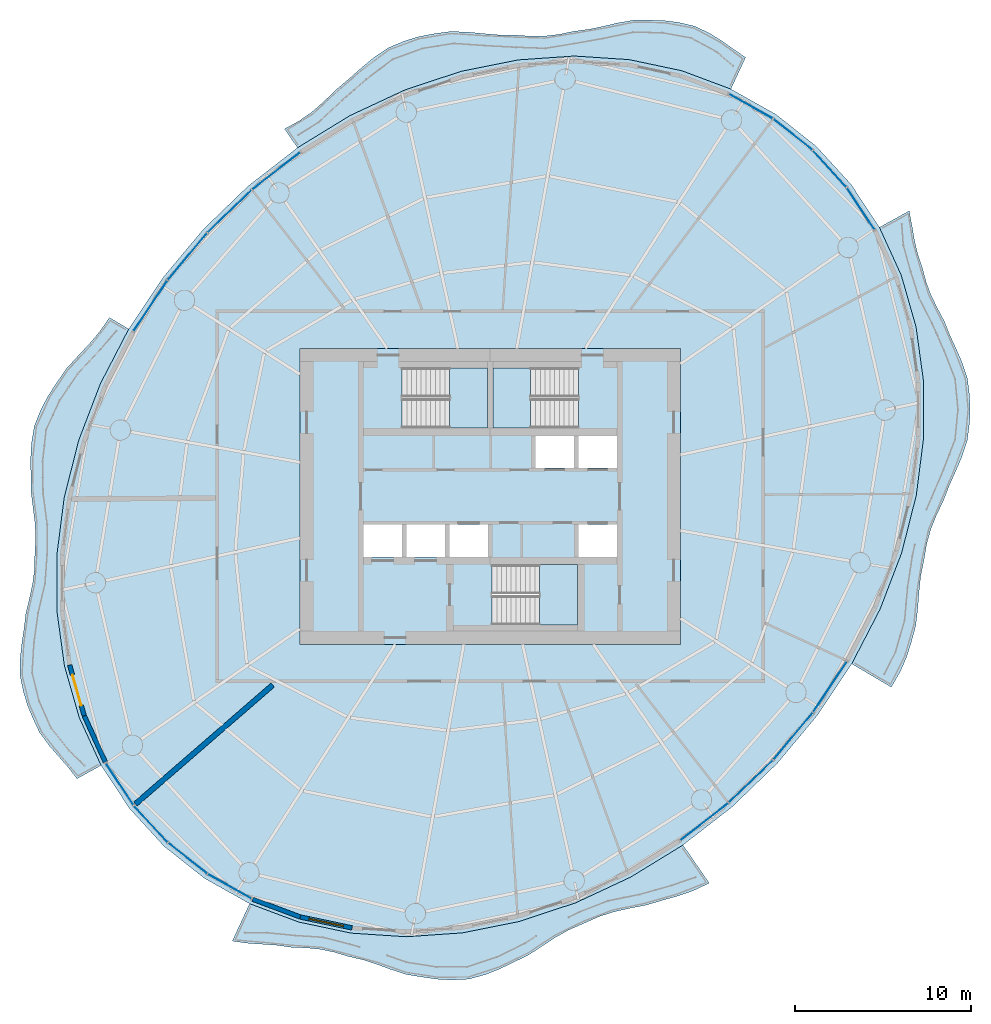
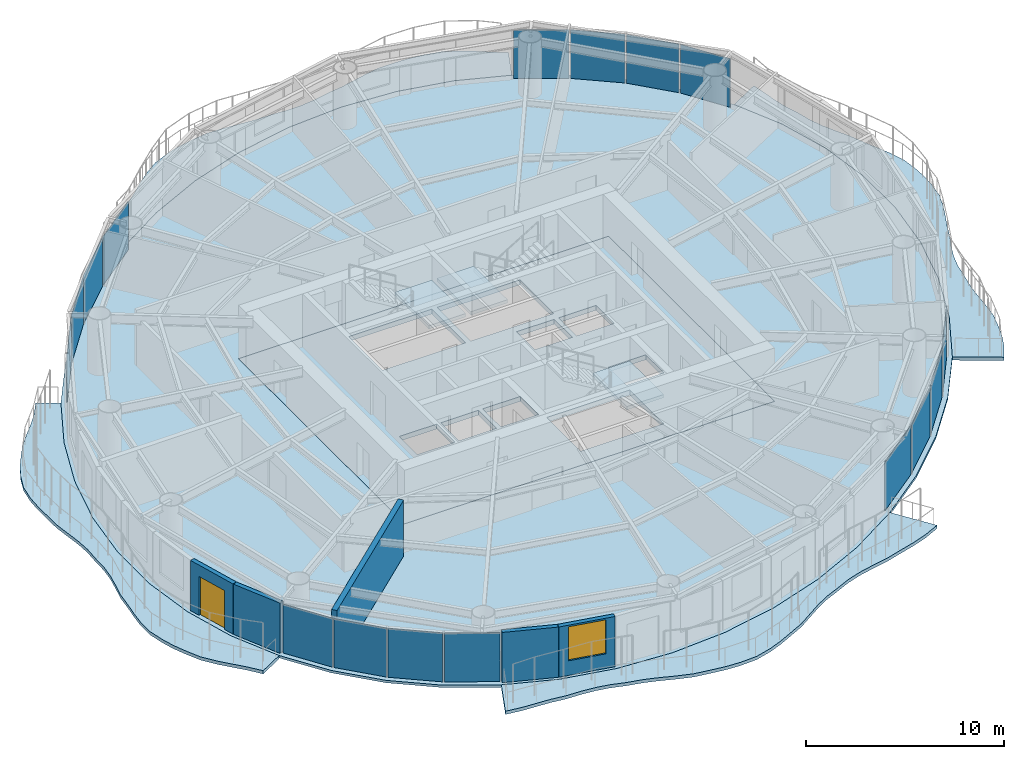
# One storey, part 7 of 15: 16 plates, 9 slabs, 5 walls, 1 door, 1 window, 2 openings, 19 elements without a shape of their own.
"""IFC4 building model written with IfcOpenShell, lengths in metres."""

from ifc_helpers import new_model, si_unit, direction, frame, frame_2d, origin, origin_2d, place, context, subcontext, project, spatial, polyline, rectangle, outline, extrude, material, layer, layer_set, type_object, element, fill, aggregate, save


model = new_model("IFC4")

# Units and contexts
model_context = context("Model", 3, precision=1e-05, world=origin(), true_north=direction((0.0, 1.0)))
body_context = subcontext(model_context, "Body", "Model", "MODEL_VIEW")
ifc_project = project(units=[si_unit("LENGTHUNIT", "METRE"), si_unit("AREAUNIT", "SQUARE_METRE"), si_unit("VOLUMEUNIT", "CUBIC_METRE"), si_unit("PLANEANGLEUNIT", "RADIAN"), si_unit("MASSUNIT", "GRAM", prefix="KILO")], contexts=[model_context])

# Site, building, storey
site_placement = place(None, origin())
site = spatial("IfcSite", under=ifc_project, at=site_placement, CompositionType="ELEMENT")
building_placement = place(site_placement, origin())
building = spatial("IfcBuilding", under=site, at=building_placement, Name="Vermilion Reach Broadcast Tower", CompositionType="ELEMENT")
storey_placement = place(building_placement, frame((0.0, 0.0, 220.89990234375)))
storey = spatial("IfcBuildingStorey", under=building, at=storey_placement, Name="L54", CompositionType="ELEMENT", Elevation=220.89990234375)

# Slabs
ifc_material_1 = material(Name="Concrete C40/50", Category="concrete")
ifc_layer_1 = layer(ifc_material_1, 0.199951171875)
ifc_layer_set_1 = layer_set([ifc_layer_1], Name="Balcony slab 200")
slab_type_1 = type_object("IfcSlabType", Name="Balcony slab 200", PredefinedType="FLOOR", material=ifc_layer_set_1)
placement_1 = place(storey_placement, frame((0.0, 0.0, -0.199951171875)))
element("IfcSlab", 1, at=placement_1, inside=storey, type_object=slab_type_1, Name="Balcony slab L54 group 1", PredefinedType="FLOOR", context=body_context, shape_type="SweptSolid", body=[
    extrude(outline(polyline([(7.66552734375, 23.129150390625), (4.869384765625, 24.17236328125), (1.88720703125, 24.802001953125), (-1.22998046875, 25.007080078125), (-4.428955078125, 24.784423828125), (-7.654541015625, 24.1376953125), (-10.851806640625, 23.077880859375), (-13.96630859375, 21.623291015625), (-16.9443359375, 19.798583984375), (-17.6826171875, 20.867431640625), (-16.852783203125, 21.32080078125), (-16.13623046875, 21.822509765625), (-15.468017578125, 22.403076171875), (-14.757080078125, 23.09423828125), (-14.0009765625, 23.72802734375), (-13.33154296875, 24.32568359375), (-12.648681640625, 24.894287109375), (-11.802734375, 25.468994140625), (-10.884765625, 25.853515625), (-10.080078125, 26.102783203125), (-9.2470703125, 26.26611328125), (-8.25439453125, 26.40185546875), (-7.2626953125, 26.366943359375), (-6.4072265625, 26.283935546875), (-5.553955078125, 26.212158203125), (-4.619140625, 26.19970703125), (-3.71923828125, 26.135009765625), (-2.916259765625, 26.14306640625), (-2.119140625, 26.2353515625), (-1.232666015625, 26.414306640625), (-0.346923828125, 26.534423828125), (0.44677734375, 26.70263671875), (1.24169921875, 26.88818359375), (2.197021484375, 27.052490234375), (3.13916015625, 27.04443359375), (3.911865234375, 27.015625), (4.67041015625, 26.9189453125), (5.605224609375, 26.70703125), (6.458251953125, 26.296630859375), (7.105224609375, 25.896240234375), (7.73583984375, 25.451904296875), (8.500732421875, 24.929443359375), (7.66552734375, 23.129150390625)])), origin(), (0.0, 0.0, 1.0), 0.199951171875),
])
element("IfcSlab", 2, at=placement_1, inside=storey, type_object=slab_type_1, Name="Balcony slab L54 group 2", PredefinedType="FLOOR", context=body_context, shape_type="SweptSolid", body=[
    extrude(outline(polyline([(-26.527099609375, 9.5078125), (-28.13525390625, 6.407470703125), (-29.36474609375, 3.197509765625), (-30.1943359375, -0.067138671875), (-30.60986328125, -3.33056640625), (-30.604248046875, -6.537109375), (-30.177978515625, -9.6318359375), (-29.337890625, -12.5615234375), (-28.098388671875, -15.276611328125), (-29.466064453125, -16.03369140625), (-30.013671875, -15.330810546875), (-30.52880859375, -14.745849609375), (-31.0400390625, -14.158935546875), (-31.600830078125, -13.3974609375), (-32.003173828125, -12.533203125), (-32.292236328125, -11.823486328125), (-32.509033203125, -11.093017578125), (-32.703369140625, -10.1650390625), (-32.695068359375, -9.190185546875), (-32.6064453125, -8.3896484375), (-32.485107421875, -7.584716796875), (-32.3740234375, -6.659912109375), (-32.154541015625, -5.738037109375), (-31.983642578125, -4.936279296875), (-31.882080078125, -4.13427734375), (-31.86279296875, -3.252197265625), (-31.814208984375, -2.34814453125), (-31.855712890625, -1.513671875), (-31.95849609375, -0.67138671875), (-32.081298828125, 0.29150390625), (-32.090576171875, 1.28369140625), (-32.100341796875, 2.155029296875), (-32.05224609375, 3.01171875), (-31.887451171875, 3.998291015625), (-31.51513671875, 4.94140625), (-31.109619140625, 5.706298828125), (-30.62939453125, 6.442626953125), (-30.0556640625, 7.27001953125), (-29.36376953125, 8.0283203125), (-28.740966796875, 8.68896484375), (-28.164306640625, 9.373291015625), (-27.626220703125, 10.15673828125), (-26.527099609375, 9.5078125)])), origin(), (0.0, 0.0, 1.0), 0.199951171875),
])
element("IfcSlab", 3, at=placement_1, inside=storey, type_object=slab_type_1, Name="Balcony slab L54 group 3", PredefinedType="FLOOR", context=body_context, shape_type="SweptSolid", body=[
    extrude(outline(polyline([(-19.66552734375, -23.129150390625), (-16.869384765625, -24.17236328125), (-13.88720703125, -24.802001953125), (-10.77001953125, -25.007080078125), (-7.571044921875, -24.784423828125), (-4.345458984375, -24.1376953125), (-1.148193359375, -23.077880859375), (1.96630859375, -21.623291015625), (4.9443359375, -19.798583984375), (6.43994140625, -21.963623046875), (5.512939453125, -22.398193359375), (4.666748046875, -22.688232421875), (3.792724609375, -22.93310546875), (2.82275390625, -23.216552734375), (1.85009765625, -23.405029296875), (0.9921875, -23.598876953125), (0.16796875, -23.86474609375), (-0.68310546875, -24.24755859375), (-1.52685546875, -24.61181640625), (-2.275146484375, -25.03076171875), (-3.00439453125, -25.5068359375), (-3.8388671875, -26.050048828125), (-4.7158203125, -26.474853515625), (-5.48095703125, -26.84228515625), (-6.258056640625, -27.14990234375), (-7.2177734375, -27.41259765625), (-8.188232421875, -27.462158203125), (-8.994873046875, -27.417724609375), (-9.806396484375, -27.303466796875), (-10.765869140625, -27.150146484375), (-11.674072265625, -26.853515625), (-12.438232421875, -26.572265625), (-13.20458984375, -26.32275390625), (-14.06884765625, -26.121826171875), (-14.892333984375, -25.875), (-15.638916015625, -25.721923828125), (-16.40087890625, -25.642578125), (-17.285400390625, -25.60546875), (-18.15576171875, -25.486328125), (-18.93212890625, -25.432373046875), (-19.7099609375, -25.38330078125), (-20.65087890625, -25.25341796875), (-19.66552734375, -23.129150390625)])), origin(), (0.0, 0.0, 1.0), 0.199951171875),
])
element("IfcSlab", 4, at=placement_1, inside=storey, type_object=slab_type_1, Name="Balcony slab L54 group 4", PredefinedType="FLOOR", context=body_context, shape_type="SweptSolid", body=[
    extrude(outline(polyline([(14.527099609375, -9.5078125), (16.13525390625, -6.407470703125), (17.36474609375, -3.197509765625), (18.1943359375, 0.067138671875), (18.60986328125, 3.33056640625), (18.604248046875, 6.537109375), (18.177978515625, 9.6318359375), (17.337890625, 12.5615234375), (16.098388671875, 15.276611328125), (17.79150390625, 16.2138671875), (17.9609375, 15.306640625), (18.09130859375, 14.546142578125), (18.263916015625, 13.8046875), (18.532470703125, 13.002685546875), (18.752197265625, 12.174560546875), (19.01953125, 11.45849609375), (19.353759765625, 10.76171875), (19.7734375, 9.96875), (20.119873046875, 9.111083984375), (20.461669921875, 8.36962890625), (20.787353515625, 7.626220703125), (21.094970703125, 6.7099609375), (21.216064453125, 5.739990234375), (21.257080078125, 4.938232421875), (21.213134765625, 4.13671875), (21.09033203125, 3.17529296875), (20.773681640625, 2.225830078125), (20.4345703125, 1.43994140625), (20.0830078125, 0.655517578125), (19.73828125, -0.226318359375), (19.32763671875, -1.08984375), (19.013671875, -1.87890625), (18.787353515625, -2.690185546875), (18.632080078125, -3.599853515625), (18.44677734375, -4.5322265625), (18.349365234375, -5.4150390625), (18.282470703125, -6.309814453125), (18.168212890625, -7.320556640625), (17.9033203125, -8.308349609375), (17.63330078125, -9.15185546875), (17.281494140625, -9.952880859375), (16.7744140625, -10.834716796875), (14.527099609375, -9.5078125)])), origin(), (0.0, 0.0, 1.0), 0.199951171875),
])
ifc_material_2 = material(Name="Concrete C40", Category="concrete")
ifc_layer_2 = layer(ifc_material_2, 0.300048828125)
ifc_layer_set_2 = layer_set([ifc_layer_2], Name="Core floor slab 300 mm Concrete C40")
slab_type_2 = type_object("IfcSlabType", Name="Core floor slab 300 mm Concrete C40", PredefinedType="FLOOR", material=ifc_layer_set_2)
slab_5_placement = place(storey_placement, frame((0.0, 0.0, -0.2998046875)))
element("IfcSlab", 5, at=slab_5_placement, inside=storey, type_object=slab_type_2, Name="L54 core floor", PredefinedType="FLOOR", context=body_context, shape_type="SweptSolid", body=[
    extrude(outline(polyline([(-16.800048828125, -8.39990234375), (4.800048828125, -8.39990234375), (4.800048828125, 8.39990234375), (-16.800048828125, 8.39990234375), (-16.800048828125, -8.39990234375)]), holes=[polyline([(-3.433349609375, 1.60009765625), (-1.24169921875, 1.60009765625), (-1.24169921875, 3.429931640625), (-3.433349609375, 3.429931640625), (-3.433349609375, 1.60009765625)]), polyline([(-0.99169921875, 1.60009765625), (1.199951171875, 1.60009765625), (1.199951171875, 3.429931640625), (-0.99169921875, 3.429931640625), (-0.99169921875, 1.60009765625)]), polyline([(-13.199951171875, -3.429931640625), (-11.00830078125, -3.429931640625), (-11.00830078125, -1.60009765625), (-13.199951171875, -1.60009765625), (-13.199951171875, -3.429931640625)]), polyline([(-10.75830078125, -3.429931640625), (-8.566650390625, -3.429931640625), (-8.566650390625, -1.60009765625), (-10.75830078125, -1.60009765625), (-10.75830078125, -3.429931640625)]), polyline([(-8.316650390625, -3.429931640625), (-6.125, -3.429931640625), (-6.125, -1.60009765625), (-8.316650390625, -1.60009765625), (-8.316650390625, -3.429931640625)]), polyline([(-0.99169921875, -3.429931640625), (1.199951171875, -3.429931640625), (1.199951171875, -1.60009765625), (-0.99169921875, -1.60009765625), (-0.99169921875, -3.429931640625)]), polyline([(-10.999267578125, 3.8798828125), (-6.14990234375, 3.8798828125), (-6.14990234375, 7.300048828125), (-10.999267578125, 7.300048828125), (-10.999267578125, 3.8798828125)]), polyline([(-1.000732421875, 7.300048828125), (-5.85009765625, 7.300048828125), (-5.85009765625, 3.8798828125), (-1.000732421875, 3.8798828125), (-1.000732421875, 7.300048828125)]), polyline([(-5.8994140625, -7.300048828125), (-1.050048828125, -7.300048828125), (-1.050048828125, -3.8798828125), (-5.8994140625, -3.8798828125), (-5.8994140625, -7.300048828125)])]), origin(), (0.0, 0.0, 1.0), 0.2998046875),
])

# Stair, slab
ifc_material_3 = material(Name="Concrete C40", Category="concrete")
stair_type = type_object("IfcStairType", Name="Exit stair RC 22 risers 164 mm", PredefinedType="HALF_TURN_STAIR", material=ifc_material_3)
placement_2 = place(storey_placement, origin())
stair_1 = element("IfcStair", 6, at=placement_2, inside=storey, type_object=stair_type, Name="L54 Exit stair ST1", PredefinedType="HALF_TURN_STAIR")
ifc_material_4 = material(Name="Concrete C40", Category="concrete")
ifc_layer_3 = layer(ifc_material_4, 0.199951171875)
ifc_layer_set_3 = layer_set([ifc_layer_3], Name="Exit stair landing Concrete C40")
slab_type_3 = type_object("IfcSlabType", Name="Exit stair landing Concrete C40", PredefinedType="LANDING", material=ifc_layer_set_3)
placement_3 = place(storey_placement, frame((0.0, 0.0, 1.60009765625)))
slab_6 = element("IfcSlab", 7, at=placement_3, type_object=slab_type_3, Name="ST1 landing 1", PredefinedType="LANDING", context=body_context, shape_type="SweptSolid", body=[
    extrude(outline(polyline([(-8.300048828125, 3.8798828125), (-6.14990234375, 3.8798828125), (-6.14990234375, 7.300048828125), (-8.300048828125, 7.300048828125), (-8.300048828125, 3.8798828125)])), origin(), (0.0, 0.0, 1.0), 0.199951171875),
])
aggregate(stair_1, [slab_6])

stair_2 = element("IfcStair", 8, at=placement_2, inside=storey, type_object=stair_type, Name="L54 Exit stair ST2", PredefinedType="HALF_TURN_STAIR")
slab_7 = element("IfcSlab", 9, at=placement_3, type_object=slab_type_3, Name="ST2 landing 1", PredefinedType="LANDING", context=body_context, shape_type="SweptSolid", body=[
    extrude(outline(polyline([(-3.699951171875, 7.300048828125), (-5.85009765625, 7.300048828125), (-5.85009765625, 3.8798828125), (-3.699951171875, 3.8798828125), (-3.699951171875, 7.300048828125)])), origin(), (0.0, 0.0, 1.0), 0.199951171875),
])
aggregate(stair_2, [slab_7])

stair_3 = element("IfcStair", 10, at=placement_2, inside=storey, type_object=stair_type, Name="L54 Exit stair ST3", PredefinedType="HALF_TURN_STAIR")
slab_8 = element("IfcSlab", 11, at=placement_3, type_object=slab_type_3, Name="ST3 landing 1", PredefinedType="LANDING", context=body_context, shape_type="SweptSolid", body=[
    extrude(outline(polyline([(-3.199951171875, -7.300048828125), (-1.050048828125, -7.300048828125), (-1.050048828125, -3.8798828125), (-3.199951171875, -3.8798828125), (-3.199951171875, -7.300048828125)])), origin(), (0.0, 0.0, 1.0), 0.199951171875),
])
aggregate(stair_3, [slab_8])

# Slab
ifc_material_5 = material(Name="Concrete C40", Category="concrete")
ifc_layer_4 = layer(ifc_material_5, 0.14990234375)
ifc_layer_set_4 = layer_set([ifc_layer_4], Name="Floor slab Concrete C40 composite 150")
slab_type_4 = type_object("IfcSlabType", Name="Floor slab Concrete C40 composite 150", PredefinedType="FLOOR", material=ifc_layer_set_4)
slab_9_placement = place(storey_placement, frame((0.0, 0.0, -0.14990234375)))
element("IfcSlab", 12, at=slab_9_placement, inside=storey, type_object=slab_type_4, Name="Floor slab L54", PredefinedType="FLOOR", context=body_context, shape_type="SweptSolid", body=[
    extrude(outline(polyline([(12.5126953125, 19.88037109375), (10.22802734375, 21.6904296875), (7.66552734375, 23.129150390625), (4.869384765625, 24.17236328125), (1.88720703125, 24.802001953125), (-1.22998046875, 25.007080078125), (-4.428955078125, 24.784423828125), (-7.654541015625, 24.1376953125), (-10.851806640625, 23.077880859375), (-13.96630859375, 21.623291015625), (-16.9443359375, 19.798583984375), (-19.735107421875, 17.63525390625), (-22.290771484375, 15.170166015625), (-24.56787109375, 12.445556640625), (-26.527099609375, 9.5078125), (-28.13525390625, 6.407470703125), (-29.36474609375, 3.197509765625), (-30.1943359375, -0.067138671875), (-30.60986328125, -3.33056640625), (-30.604248046875, -6.537109375), (-30.177978515625, -9.6318359375), (-29.337890625, -12.5615234375), (-28.098388671875, -15.276611328125), (-26.480712890625, -17.730224609375), (-24.5126953125, -19.88037109375), (-22.22802734375, -21.6904296875), (-19.66552734375, -23.129150390625), (-16.869384765625, -24.17236328125), (-13.88720703125, -24.802001953125), (-10.77001953125, -25.007080078125), (-7.571044921875, -24.784423828125), (-4.345458984375, -24.1376953125), (-1.148193359375, -23.077880859375), (1.96630859375, -21.623291015625), (4.9443359375, -19.798583984375), (7.735107421875, -17.63525390625), (10.290771484375, -15.170166015625), (12.56787109375, -12.445556640625), (14.527099609375, -9.5078125), (16.13525390625, -6.407470703125), (17.36474609375, -3.197509765625), (18.1943359375, 0.067138671875), (18.60986328125, 3.33056640625), (18.604248046875, 6.537109375), (18.177978515625, 9.6318359375), (17.337890625, 12.5615234375), (16.098388671875, 15.276611328125), (14.480712890625, 17.730224609375), (12.5126953125, 19.88037109375)]), holes=[polyline([(-16.800048828125, -8.39990234375), (4.800048828125, -8.39990234375), (4.800048828125, 8.39990234375), (-16.800048828125, 8.39990234375), (-16.800048828125, -8.39990234375)])]), origin(), (0.0, 0.0, 1.0), 0.14990234375),
])

# Curtain wall, plate
ifc_material_6 = material(Name="Low-e laminated clear glass in aluminium frame", Category="aluminium")
curtain_wall_type = type_object("IfcCurtainWallType", Name="Slot curtain wall", PredefinedType="NOTDEFINED", material=ifc_material_6)
curtain_wall_1 = element("IfcCurtainWall", 13, at=placement_2, inside=storey, type_object=curtain_wall_type, Name="Slot curtain wall L54 46", PredefinedType="NOTDEFINED")
ifc_material_7 = material(Name="Low-e laminated clear glass", Category="glass")
ifc_layer_5 = layer(ifc_material_7, 0.028076171875)
ifc_layer_set_5 = layer_set([ifc_layer_5], Name="Slot glass panel")
plate_type = type_object("IfcPlateType", Name="Slot glass panel", PredefinedType="CURTAIN_PANEL", material=ifc_layer_set_5)
plate_1_placement = place(storey_placement, frame((15.039794921875, 16.338623046875, 0.0), z_axis=(0.0, 0.0, 1.0), x_axis=(-0.55041441411, 0.834891593406, 0.0)))
plate_1 = element("IfcPlate", 14, at=plate_1_placement, type_object=plate_type, Name="Slot glass panel L54 46", PredefinedType="CURTAIN_PANEL", context=body_context, shape_type="SweptSolid", body=[
    extrude(rectangle(XDim=2.811767578125, YDim=0.028076171875, at=origin_2d()), origin(), (0.0, 0.0, 1.0), 3.0),
])
aggregate(curtain_wall_1, [plate_1])

curtain_wall_2 = element("IfcCurtainWall", 15, at=placement_2, inside=storey, type_object=curtain_wall_type, Name="Slot curtain wall L54 47", PredefinedType="NOTDEFINED")
plate_2_placement = place(storey_placement, frame((13.276123046875, 18.603271484375, 0.0), z_axis=(0.0, 0.0, 1.0), x_axis=(-0.675162434244, 0.737669090708, 0.0)))
plate_2 = element("IfcPlate", 16, at=plate_2_placement, type_object=plate_type, Name="Slot glass panel L54 47", PredefinedType="CURTAIN_PANEL", context=body_context, shape_type="SweptSolid", body=[
    extrude(rectangle(XDim=2.787109375, YDim=0.028076171875, at=origin_2d()), origin(), (0.0, 0.0, 1.0), 3.0),
])
aggregate(curtain_wall_2, [plate_2])

curtain_wall_3 = element("IfcCurtainWall", 17, at=placement_2, inside=storey, type_object=curtain_wall_type, Name="Slot curtain wall L54 00", PredefinedType="NOTDEFINED")
plate_3_placement = place(storey_placement, frame((11.1845703125, 20.551025390625, 0.0), z_axis=(0.0, 0.0, 1.0), x_axis=(-0.783837128361, 0.620966469468, 0.0)))
plate_3 = element("IfcPlate", 18, at=plate_3_placement, type_object=plate_type, Name="Slot glass panel L54 00", PredefinedType="CURTAIN_PANEL", context=body_context, shape_type="SweptSolid", body=[
    extrude(rectangle(XDim=2.787109375, YDim=0.028076171875, at=origin_2d()), origin(), (0.0, 0.0, 1.0), 3.0),
])
aggregate(curtain_wall_3, [plate_3])

curtain_wall_4 = element("IfcCurtainWall", 19, at=placement_2, inside=storey, type_object=curtain_wall_type, Name="Slot curtain wall L54 01", PredefinedType="NOTDEFINED")
plate_4_placement = place(storey_placement, frame((8.80029296875, 22.149169921875, 0.0), z_axis=(0.0, 0.0, 1.0), x_axis=(-0.87193705827, 0.489617980078, 0.0)))
plate_4 = element("IfcPlate", 20, at=plate_4_placement, type_object=plate_type, Name="Slot glass panel L54 01", PredefinedType="CURTAIN_PANEL", context=body_context, shape_type="SweptSolid", body=[
    extrude(rectangle(XDim=2.811767578125, YDim=0.028076171875, at=origin_2d()), origin(), (0.0, 0.0, 1.0), 3.0),
])
aggregate(curtain_wall_4, [plate_4])

curtain_wall_5 = element("IfcCurtainWall", 21, at=placement_2, inside=storey, type_object=curtain_wall_type, Name="Slot curtain wall L54 10", PredefinedType="NOTDEFINED")
plate_5_placement = place(storey_placement, frame((-18.15625, 18.480224609375, 0.0), z_axis=(0.0, 0.0, 1.0), x_axis=(-0.790342702682, -0.612665008236, 0.0)))
plate_5 = element("IfcPlate", 22, at=plate_5_placement, type_object=plate_type, Name="Slot glass panel L54 10", PredefinedType="CURTAIN_PANEL", context=body_context, shape_type="SweptSolid", body=[
    extrude(rectangle(XDim=3.41845703125, YDim=0.028076171875, at=origin_2d()), origin(), (0.0, 0.0, 1.0), 3.0),
])
aggregate(curtain_wall_5, [plate_5])

curtain_wall_6 = element("IfcCurtainWall", 23, at=placement_2, inside=storey, type_object=curtain_wall_type, Name="Slot curtain wall L54 11", PredefinedType="NOTDEFINED")
plate_6_placement = place(storey_placement, frame((-20.804931640625, 16.18701171875, 0.0), z_axis=(0.0, 0.0, 1.0), x_axis=(-0.71975566785, -0.694227468916, 0.0)))
plate_6 = element("IfcPlate", 24, at=plate_6_placement, type_object=plate_type, Name="Slot glass panel L54 11", PredefinedType="CURTAIN_PANEL", context=body_context, shape_type="SweptSolid", body=[
    extrude(rectangle(XDim=3.438720703125, YDim=0.028076171875, at=origin_2d()), origin(), (0.0, 0.0, 1.0), 3.0),
])
aggregate(curtain_wall_6, [plate_6])

curtain_wall_7 = element("IfcCurtainWall", 25, at=placement_2, inside=storey, type_object=curtain_wall_type, Name="Slot curtain wall L54 12", PredefinedType="NOTDEFINED")
plate_7_placement = place(storey_placement, frame((-23.199462890625, 13.61572265625, 0.0), z_axis=(0.0, 0.0, 1.0), x_axis=(-0.641257963387, -0.767325370617, 0.0)))
plate_7 = element("IfcPlate", 26, at=plate_7_placement, type_object=plate_type, Name="Slot glass panel L54 12", PredefinedType="CURTAIN_PANEL", context=body_context, shape_type="SweptSolid", body=[
    extrude(rectangle(XDim=3.438720703125, YDim=0.028076171875, at=origin_2d()), origin(), (0.0, 0.0, 1.0), 3.0),
])
aggregate(curtain_wall_7, [plate_7])

curtain_wall_8 = element("IfcCurtainWall", 27, at=placement_2, inside=storey, type_object=curtain_wall_type, Name="Slot curtain wall L54 13", PredefinedType="NOTDEFINED")
plate_8_placement = place(storey_placement, frame((-25.29833984375, 10.810546875, 0.0), z_axis=(0.0, 0.0, 1.0), x_axis=(-0.554880259906, -0.831930223737, 0.0)))
plate_8 = element("IfcPlate", 28, at=plate_8_placement, type_object=plate_type, Name="Slot glass panel L54 13", PredefinedType="CURTAIN_PANEL", context=body_context, shape_type="SweptSolid", body=[
    extrude(rectangle(XDim=3.41845703125, YDim=0.028076171875, at=origin_2d()), origin(), (0.0, 0.0, 1.0), 3.0),
])
aggregate(curtain_wall_8, [plate_8])

curtain_wall_9 = element("IfcCurtainWall", 29, at=placement_2, inside=storey, type_object=curtain_wall_type, Name="Slot curtain wall L54 22", PredefinedType="NOTDEFINED")
plate_9_placement = place(storey_placement, frame((-27.039794921875, -16.338623046875, 0.0), z_axis=(0.0, 0.0, 1.0), x_axis=(0.55041441411, -0.834891593406, 0.0)))
plate_9 = element("IfcPlate", 30, at=plate_9_placement, type_object=plate_type, Name="Slot glass panel L54 22", PredefinedType="CURTAIN_PANEL", context=body_context, shape_type="SweptSolid", body=[
    extrude(rectangle(XDim=2.811767578125, YDim=0.028076171875, at=origin_2d()), origin(), (0.0, 0.0, 1.0), 3.0),
])
aggregate(curtain_wall_9, [plate_9])

curtain_wall_10 = element("IfcCurtainWall", 31, at=placement_2, inside=storey, type_object=curtain_wall_type, Name="Slot curtain wall L54 23", PredefinedType="NOTDEFINED")
plate_10_placement = place(storey_placement, frame((-25.276123046875, -18.603271484375, 0.0), z_axis=(0.0, 0.0, 1.0), x_axis=(0.675162434244, -0.737669090708, 0.0)))
plate_10 = element("IfcPlate", 32, at=plate_10_placement, type_object=plate_type, Name="Slot glass panel L54 23", PredefinedType="CURTAIN_PANEL", context=body_context, shape_type="SweptSolid", body=[
    extrude(rectangle(XDim=2.787109375, YDim=0.028076171875, at=origin_2d()), origin(), (0.0, 0.0, 1.0), 3.0),
])
aggregate(curtain_wall_10, [plate_10])

curtain_wall_11 = element("IfcCurtainWall", 33, at=placement_2, inside=storey, type_object=curtain_wall_type, Name="Slot curtain wall L54 24", PredefinedType="NOTDEFINED")
plate_11_placement = place(storey_placement, frame((-23.1845703125, -20.551025390625, 0.0), z_axis=(0.0, 0.0, 1.0), x_axis=(0.783837128361, -0.620966469468, 0.0)))
plate_11 = element("IfcPlate", 34, at=plate_11_placement, type_object=plate_type, Name="Slot glass panel L54 24", PredefinedType="CURTAIN_PANEL", context=body_context, shape_type="SweptSolid", body=[
    extrude(rectangle(XDim=2.787109375, YDim=0.028076171875, at=origin_2d()), origin(), (0.0, 0.0, 1.0), 3.0),
])
aggregate(curtain_wall_11, [plate_11])

curtain_wall_12 = element("IfcCurtainWall", 35, at=placement_2, inside=storey, type_object=curtain_wall_type, Name="Slot curtain wall L54 25", PredefinedType="NOTDEFINED")
plate_12_placement = place(storey_placement, frame((-20.80029296875, -22.149169921875, 0.0), z_axis=(0.0, 0.0, 1.0), x_axis=(0.87193705827, -0.489617980078, 0.0)))
plate_12 = element("IfcPlate", 36, at=plate_12_placement, type_object=plate_type, Name="Slot glass panel L54 25", PredefinedType="CURTAIN_PANEL", context=body_context, shape_type="SweptSolid", body=[
    extrude(rectangle(XDim=2.811767578125, YDim=0.028076171875, at=origin_2d()), origin(), (0.0, 0.0, 1.0), 3.0),
])
aggregate(curtain_wall_12, [plate_12])

curtain_wall_13 = element("IfcCurtainWall", 37, at=placement_2, inside=storey, type_object=curtain_wall_type, Name="Slot curtain wall L54 34", PredefinedType="NOTDEFINED")
plate_13_placement = place(storey_placement, frame((6.15625, -18.480224609375, 0.0), z_axis=(0.0, 0.0, 1.0), x_axis=(0.790342702682, 0.612665008236, 0.0)))
plate_13 = element("IfcPlate", 38, at=plate_13_placement, type_object=plate_type, Name="Slot glass panel L54 34", PredefinedType="CURTAIN_PANEL", context=body_context, shape_type="SweptSolid", body=[
    extrude(rectangle(XDim=3.41845703125, YDim=0.028076171875, at=origin_2d()), origin(), (0.0, 0.0, 1.0), 3.0),
])
aggregate(curtain_wall_13, [plate_13])

curtain_wall_14 = element("IfcCurtainWall", 39, at=placement_2, inside=storey, type_object=curtain_wall_type, Name="Slot curtain wall L54 35", PredefinedType="NOTDEFINED")
plate_14_placement = place(storey_placement, frame((8.804931640625, -16.18701171875, 0.0), z_axis=(0.0, 0.0, 1.0), x_axis=(0.71975566785, 0.694227468916, 0.0)))
plate_14 = element("IfcPlate", 40, at=plate_14_placement, type_object=plate_type, Name="Slot glass panel L54 35", PredefinedType="CURTAIN_PANEL", context=body_context, shape_type="SweptSolid", body=[
    extrude(rectangle(XDim=3.438720703125, YDim=0.028076171875, at=origin_2d()), origin(), (0.0, 0.0, 1.0), 3.0),
])
aggregate(curtain_wall_14, [plate_14])

curtain_wall_15 = element("IfcCurtainWall", 41, at=placement_2, inside=storey, type_object=curtain_wall_type, Name="Slot curtain wall L54 36", PredefinedType="NOTDEFINED")
plate_15_placement = place(storey_placement, frame((11.199462890625, -13.61572265625, 0.0), z_axis=(0.0, 0.0, 1.0), x_axis=(0.641257963387, 0.767325370617, 0.0)))
plate_15 = element("IfcPlate", 42, at=plate_15_placement, type_object=plate_type, Name="Slot glass panel L54 36", PredefinedType="CURTAIN_PANEL", context=body_context, shape_type="SweptSolid", body=[
    extrude(rectangle(XDim=3.438720703125, YDim=0.028076171875, at=origin_2d()), origin(), (0.0, 0.0, 1.0), 3.0),
])
aggregate(curtain_wall_15, [plate_15])

curtain_wall_16 = element("IfcCurtainWall", 43, at=placement_2, inside=storey, type_object=curtain_wall_type, Name="Slot curtain wall L54 37", PredefinedType="NOTDEFINED")
plate_16_placement = place(storey_placement, frame((13.29833984375, -10.810546875, 0.0), z_axis=(0.0, 0.0, 1.0), x_axis=(0.554880259906, 0.831930223737, 0.0)))
plate_16 = element("IfcPlate", 44, at=plate_16_placement, type_object=plate_type, Name="Slot glass panel L54 37", PredefinedType="CURTAIN_PANEL", context=body_context, shape_type="SweptSolid", body=[
    extrude(rectangle(XDim=3.41845703125, YDim=0.028076171875, at=origin_2d()), origin(), (0.0, 0.0, 1.0), 3.0),
])
aggregate(curtain_wall_16, [plate_16])

# Wall
ifc_material_8 = material(Name="Double-leaf plasterboard on isolated steel stud", Category="steel")
ifc_layer_6 = layer(ifc_material_8, 0.300048828125)
ifc_layer_set_6 = layer_set([ifc_layer_6], Name="Partition 300 acoustic double leaf")
wall_type_1 = type_object("IfcWallType", Name="Partition 300 acoustic double leaf", PredefinedType="PARTITIONING", material=ifc_layer_set_6)
wall_1_placement = place(storey_placement, frame((-26.1455078125, -17.468994140625, 0.0), z_axis=(0.0, 0.0, 1.0), x_axis=(0.755515634714, 0.655130617284, 0.0)))
element("IfcWall", 45, at=wall_1_placement, inside=storey, type_object=wall_type_1, Name="Partition 54.06", PredefinedType="PARTITIONING", context=body_context, shape_type="SweptSolid", body=[
    extrude(rectangle(XDim=10.311767578125, YDim=0.300048828125, at=frame_2d((5.15576171875, 0.0))), origin(), (0.0, 0.0, 1.0), 3.4501953125),
])

# Wall, opening, door
ifc_material_9 = material(Name="Terracotta rainscreen cladding", Category="masonry")
ifc_layer_7 = layer(ifc_material_9, 0.25)
ifc_layer_set_7 = layer_set([ifc_layer_7], Name="Terracotta rainscreen wall 250")
wall_type_2 = type_object("IfcWallType", Name="Terracotta rainscreen wall 250", PredefinedType="SOLIDWALL", material=ifc_layer_set_7)
wall_2_placement = place(storey_placement, frame((-29.880859375, -9.58251953125, 0.0), z_axis=(0.0, 0.0, 1.0), x_axis=(0.275630564499, -0.961263643292, 0.0)))
wall_2 = element("IfcWall", 46, at=wall_2_placement, inside=storey, type_object=wall_type_2, Name="External wall L54 20", PredefinedType="SOLIDWALL", context=body_context, shape_type="SweptSolid", body=[
    extrude(rectangle(XDim=2.977783203125, YDim=0.25, at=frame_2d((1.48876953125, 0.0))), origin(), (0.0, 0.0, 1.0), 3.10009765625),
])
opening_1_placement = place(wall_2_placement, frame((0.589111328125, 0.0, 0.0)))
opening_1 = element("IfcOpeningElement", 47, at=opening_1_placement, cuts=wall_2, Name="Opening D70", PredefinedType="OPENING", context=body_context, shape_type="SweptSolid", body=[
    extrude(rectangle(XDim=1.800048828125, YDim=2.39990234375, at=frame_2d((0.89990234375, 1.199951171875))), frame((0.0, 0.135009765625, 0.0), z_axis=(0.0, -1.0, 0.0), x_axis=(1.0, 0.0, 0.0)), (0.0, 0.0, 1.0), 0.27001953125),
])
ifc_material_10 = material(Name="Low-e laminated clear glass in aluminium frame", Category="aluminium")
door_type = type_object("IfcDoorType", Name="Balcony sliding door 1800 x 2400", OperationType="DOUBLE_DOOR_SLIDING", PredefinedType="DOOR", material=ifc_material_10)
door_placement = place(opening_1_placement, origin())
door = element("IfcDoor", 48, at=door_placement, inside=storey, type_object=door_type, Name="Balcony door L54 run 05", OperationType="DOUBLE_DOOR_SLIDING", OverallHeight=2.39990234375, OverallWidth=1.800048828125, PredefinedType="DOOR", context=body_context, shape_type="SweptSolid", body=[
    extrude(rectangle(XDim=1.800048828125, YDim=2.39990234375, at=frame_2d((0.89990234375, 1.199951171875))), frame((0.0, 0.02490234375, 0.0), z_axis=(0.0, -1.0, 0.0), x_axis=(1.0, 0.0, 0.0)), (0.0, 0.0, 1.0), 0.050048828125),
])
fill(opening_1, door)

# Walls
wall_3_placement = place(storey_placement, frame((-29.05078125, -12.469970703125, 0.0), z_axis=(0.0, 0.0, 1.0), x_axis=(0.41529540963, -0.909686606882, 0.0)))
element("IfcWall", 49, at=wall_3_placement, inside=storey, type_object=wall_type_2, Name="External wall L54 21", PredefinedType="SOLIDWALL", context=body_context, shape_type="SweptSolid", body=[
    extrude(rectangle(XDim=2.87060546875, YDim=0.25, at=frame_2d((1.435302734375, 0.0))), origin(), (0.0, 0.0, 1.0), 3.10009765625),
])
wall_4_placement = place(storey_placement, frame((-19.488037109375, -22.876220703125, 0.0), z_axis=(0.0, 0.0, 1.0), x_axis=(0.936925456517, -0.34952923902, 0.0)))
element("IfcWall", 50, at=wall_4_placement, inside=storey, type_object=wall_type_2, Name="External wall L54 26", PredefinedType="SOLIDWALL", context=body_context, shape_type="SweptSolid", body=[
    extrude(rectangle(XDim=2.870849609375, YDim=0.25, at=frame_2d((1.435546875, 0.0))), origin(), (0.0, 0.0, 1.0), 3.10009765625),
])

# Wall, opening, window
wall_5_placement = place(storey_placement, frame((-16.77294921875, -23.886962890625, 0.0), z_axis=(0.0, 0.0, 1.0), x_axis=(0.978444408338, -0.206510386645, 0.0)))
wall_5 = element("IfcWall", 51, at=wall_5_placement, inside=storey, type_object=wall_type_2, Name="External wall L54 27", PredefinedType="SOLIDWALL", context=body_context, shape_type="SweptSolid", body=[
    extrude(rectangle(XDim=2.97802734375, YDim=0.25, at=frame_2d((1.489013671875, 0.0))), origin(), (0.0, 0.0, 1.0), 3.10009765625),
])
opening_2_placement = place(wall_5_placement, frame((0.489013671875, 0.0, 0.89990234375)))
opening_2 = element("IfcOpeningElement", 52, at=opening_2_placement, cuts=wall_5, Name="Opening W03", PredefinedType="OPENING", context=body_context, shape_type="SweptSolid", body=[
    extrude(rectangle(XDim=2.0, YDim=2.10009765625, at=frame_2d((1.0, 1.050048828125))), frame((0.0, 0.135009765625, 0.0), z_axis=(0.0, -1.0, 0.0), x_axis=(1.0, 0.0, 0.0)), (0.0, 0.0, 1.0), 0.27001953125),
])
ifc_material_11 = material(Name="Low-e laminated clear glass in aluminium frame", Category="aluminium")
window_type = type_object("IfcWindowType", Name="Punched window 2000 x 2100 sill 900", PartitioningType="SINGLE_PANEL", PredefinedType="WINDOW", material=ifc_material_11)
window_placement = place(opening_2_placement, origin())
window = element("IfcWindow", 53, at=window_placement, inside=storey, type_object=window_type, Name="Window L54 27", OverallHeight=2.10009765625, OverallWidth=2.0, PartitioningType="SINGLE_PANEL", PredefinedType="WINDOW", context=body_context, shape_type="SweptSolid", body=[
    extrude(rectangle(XDim=2.0, YDim=2.10009765625, at=frame_2d((1.0, 1.050048828125))), frame((0.0, 0.030029296875, 0.0), z_axis=(0.0, -1.0, 0.0), x_axis=(1.0, 0.0, 0.0)), (0.0, 0.0, 1.0), 0.06005859375),
])
fill(opening_2, window)

save(model, "model.ifc")
